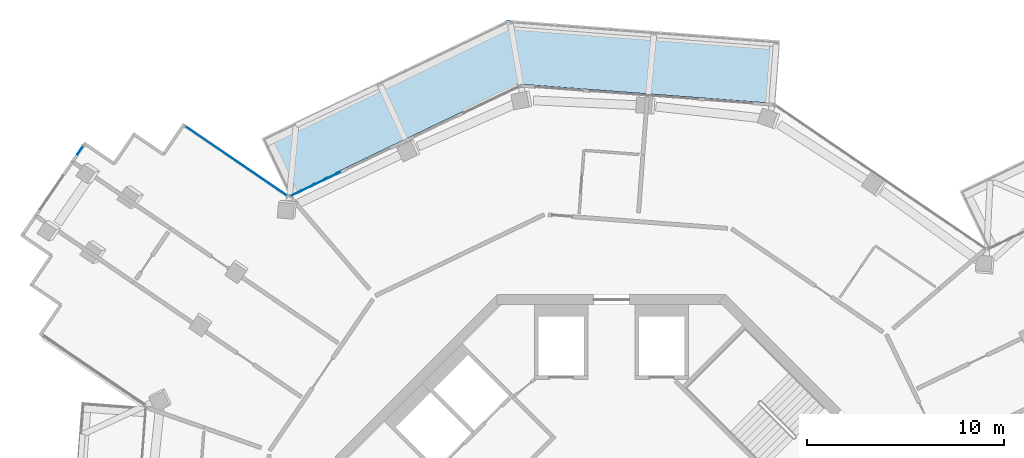
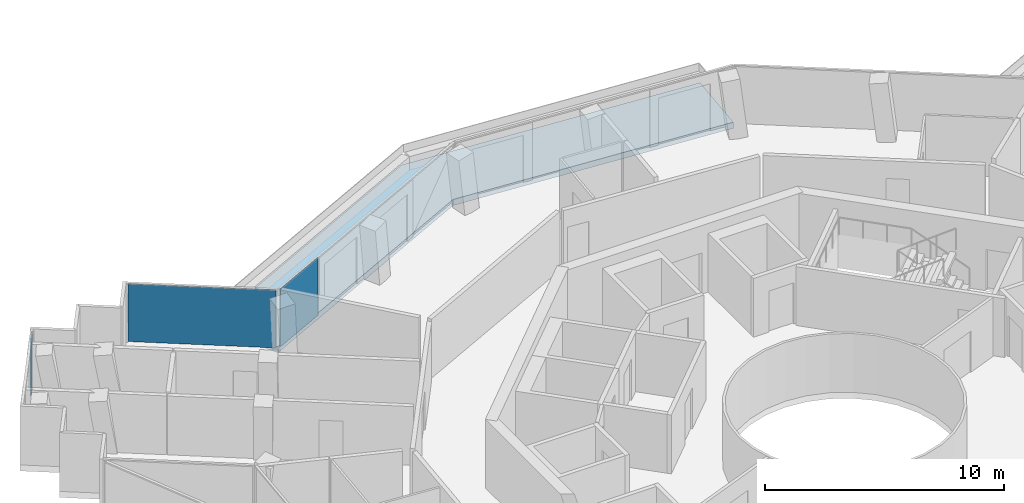
# One storey, part 13 of 23: 3 plates, 1 slab, 3 elements without a shape of their own.
"""IFC4 building model written with IfcOpenShell, lengths in metres."""

from ifc_helpers import new_model, si_unit, direction, frame, origin, origin_2d, place, context, subcontext, project, spatial, polyline, rectangle, outline, extrude, material, layer, layer_set, type_object, element, aggregate, save


model = new_model("IFC4")

# Units and contexts
model_context = context("Model", 3, precision=1e-05, world=origin(), true_north=direction((0.0, 1.0)))
body_context = subcontext(model_context, "Body", "Model", "MODEL_VIEW")
ifc_project = project(units=[si_unit("LENGTHUNIT", "METRE"), si_unit("AREAUNIT", "SQUARE_METRE"), si_unit("VOLUMEUNIT", "CUBIC_METRE"), si_unit("PLANEANGLEUNIT", "RADIAN"), si_unit("MASSUNIT", "GRAM", prefix="KILO")], contexts=[model_context])

# Site, building, storey
site_placement = place(None, origin())
site = spatial("IfcSite", under=ifc_project, at=site_placement, CompositionType="ELEMENT")
building_placement = place(site_placement, origin())
building = spatial("IfcBuilding", under=site, at=building_placement, Name="Verdalira Terraces Hotel", CompositionType="ELEMENT")
storey_placement = place(building_placement, frame((0.0, 0.0, 259.5)))
storey = spatial("IfcBuildingStorey", under=building, at=storey_placement, Name="L64", CompositionType="ELEMENT", Elevation=259.5)

# Slab
ifc_material_1 = material(Name="Precast concrete C40/50", Category="concrete")
ifc_layer_1 = layer(ifc_material_1, 0.31005859375)
ifc_layer_set_1 = layer_set([ifc_layer_1], Name="Balcony deck 310")
slab_type = type_object("IfcSlabType", Name="Balcony deck 310", PredefinedType="FLOOR", material=ifc_layer_set_1)
slab_placement = place(storey_placement, frame((0.0, 0.0, -0.310059)))
element("IfcSlab", 1, at=slab_placement, inside=storey, type_object=slab_type, Name="Balcony deck", PredefinedType="FLOOR", context=body_context, shape_type="SweptSolid", body=[
    extrude(outline(polyline([(-5.268066, 27.93457), (-17.756836, 21.929443), (-16.370117, 19.045654), (-4.654297, 24.678955), (8.308838, 23.699707), (8.549805, 26.890625), (-5.268066, 27.93457)])), origin(), (0.0, 0.0, 1.0), 0.310059),
])

# Curtain wall, plate
ifc_material_2 = material(Name="Clear glass", Category="glass")
ifc_layer_2 = layer(ifc_material_2, 0.14990234375)
ifc_layer_set_2 = layer_set([ifc_layer_2], Name="CW1 curtain wall")
curtain_wall_type_1 = type_object("IfcCurtainWallType", Name="CW1 curtain wall", PredefinedType="NOTDEFINED", material=ifc_layer_set_2)
curtain_wall_1_placement = place(storey_placement, origin())
curtain_wall_1 = element("IfcCurtainWall", 2, at=curtain_wall_1_placement, inside=storey, type_object=curtain_wall_type_1, Name="CW1 curtain wall L64 edge 41", PredefinedType="NOTDEFINED")
ifc_material_3 = material(Name="Clear glass", Category="glass")
ifc_layer_3 = layer(ifc_material_3, 0.028076171875)
ifc_layer_set_3 = layer_set([ifc_layer_3], Name="CW1 glass unit 28")
plate_type_1 = type_object("IfcPlateType", Name="CW1 glass unit 28", PredefinedType="CURTAIN_PANEL", material=ifc_layer_set_3)
plate_1_placement = place(storey_placement, frame((-15.021729, 19.610596, 0.0), z_axis=(0.0, 0.0, 1.0), x_axis=(-0.901228342, -0.433344523, 0.0)))
plate_1 = element("IfcPlate", 3, at=plate_1_placement, type_object=plate_type_1, Name="CW1 glass unit", PredefinedType="CURTAIN_PANEL", context=body_context, shape_type="SweptSolid", body=[
    extrude(rectangle(XDim=2.800293, YDim=0.028076, at=origin_2d()), origin(), (0.0, 0.0, 1.0), 2.935059),
])
aggregate(curtain_wall_1, [plate_1])

ifc_material_4 = material(Name="Clear glass", Category="glass")
ifc_layer_4 = layer(ifc_material_4, 0.14990234375)
ifc_layer_set_4 = layer_set([ifc_layer_4], Name="CW2 curtain wall")
curtain_wall_type_2 = type_object("IfcCurtainWallType", Name="CW2 curtain wall", PredefinedType="NOTDEFINED", material=ifc_layer_set_4)
curtain_wall_2_placement = place(storey_placement, origin())
curtain_wall_2 = element("IfcCurtainWall", 4, at=curtain_wall_2_placement, inside=storey, type_object=curtain_wall_type_2, Name="CW2 curtain wall L64 edge 0", PredefinedType="NOTDEFINED")
ifc_material_5 = material(Name="Clear glass", Category="glass")
ifc_layer_5 = layer(ifc_material_5, 0.031982421875)
ifc_layer_set_5 = layer_set([ifc_layer_5], Name="CW2 glass unit 32")
plate_type_2 = type_object("IfcPlateType", Name="CW2 glass unit 32", PredefinedType="CURTAIN_PANEL", material=ifc_layer_set_5)
plate_2_placement = place(storey_placement, frame((-19.034668, 20.773682, 0.0), z_axis=(0.0, 0.0, 1.0), x_axis=(-0.825901536, 0.563814377, 0.0)))
plate_2 = element("IfcPlate", 5, at=plate_2_placement, type_object=plate_type_2, Name="CW2 glass unit", PredefinedType="CURTAIN_PANEL", context=body_context, shape_type="SweptSolid", body=[
    extrude(rectangle(XDim=6.209717, YDim=0.031982, at=origin_2d()), origin(), (0.0, 0.0, 1.0), 2.935059),
])
aggregate(curtain_wall_2, [plate_2])

ifc_material_6 = material(Name="Clear glass", Category="glass")
ifc_layer_6 = layer(ifc_material_6, 0.14990234375)
ifc_layer_set_6 = layer_set([ifc_layer_6], Name="CW3 curtain wall")
curtain_wall_type_3 = type_object("IfcCurtainWallType", Name="CW3 curtain wall", PredefinedType="NOTDEFINED", material=ifc_layer_set_6)
curtain_wall_3_placement = place(storey_placement, origin())
curtain_wall_3 = element("IfcCurtainWall", 6, at=curtain_wall_3_placement, inside=storey, type_object=curtain_wall_type_3, Name="CW3 curtain wall L64 edge 5", PredefinedType="NOTDEFINED")
ifc_material_7 = material(Name="Clear glass", Category="glass")
ifc_layer_7 = layer(ifc_material_7, 0.035888671875)
ifc_layer_set_7 = layer_set([ifc_layer_7], Name="CW3 glass unit 36")
plate_type_3 = type_object("IfcPlateType", Name="CW3 glass unit 36", PredefinedType="CURTAIN_PANEL", material=ifc_layer_set_7)
plate_3_placement = place(storey_placement, frame((-26.952881, 21.323975, 0.0), z_axis=(0.0, 0.0, 1.0), x_axis=(-0.563814377, -0.825901536, 0.0)))
plate_3 = element("IfcPlate", 7, at=plate_3_placement, type_object=plate_type_3, Name="CW3 glass unit", PredefinedType="CURTAIN_PANEL", context=body_context, shape_type="SweptSolid", body=[
    extrude(rectangle(XDim=0.51001, YDim=0.035889, at=origin_2d()), origin(), (0.0, 0.0, 1.0), 2.935059),
])
aggregate(curtain_wall_3, [plate_3])

save(model, "model.ifc")
